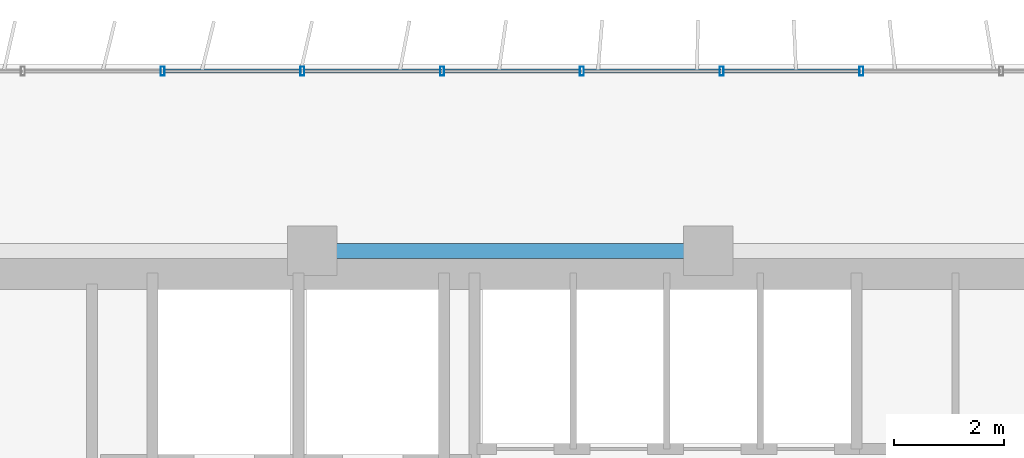
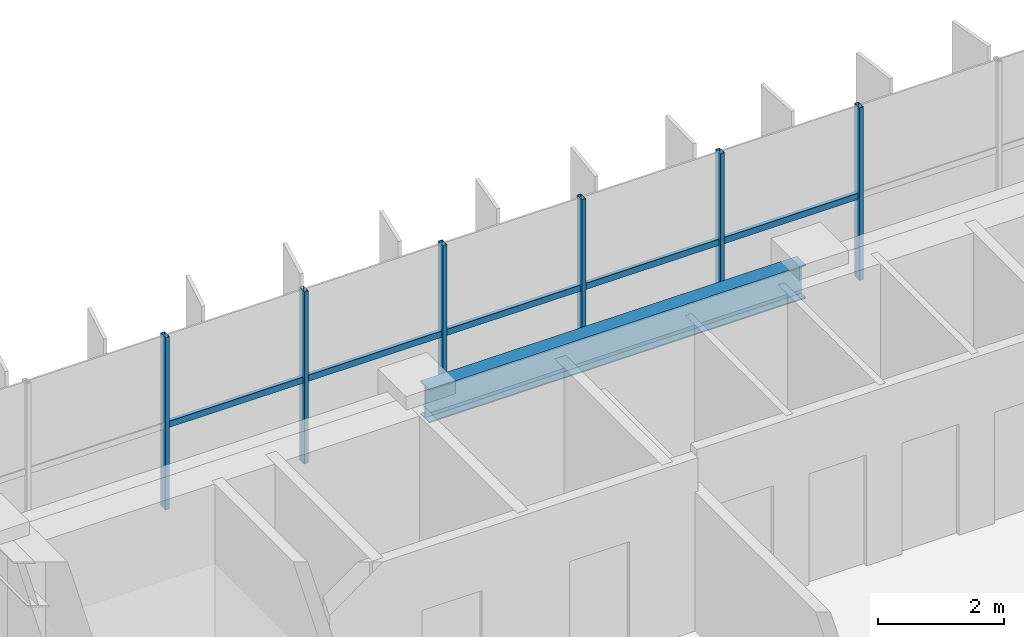
# One storey, part 7 of 21: 11 members, 1 beam, 1 element without a shape of its own.
"""IFC4 building model written with IfcOpenShell, lengths in metres."""

from ifc_helpers import new_model, si_unit, direction, frame, origin, origin_2d, place, context, subcontext, project, spatial, hollow_rectangle, i_section, extrude, source, transform, mapped, material, material_profile, profile_set, type_object, element, aggregate, save


model = new_model("IFC4")

# Units and contexts
model_context = context("Model", 3, precision=1e-05, world=origin(), true_north=direction((0.0, 1.0)))
body_context = subcontext(model_context, "Body", "Model", "MODEL_VIEW")
ifc_project = project(units=[si_unit("LENGTHUNIT", "METRE"), si_unit("AREAUNIT", "SQUARE_METRE"), si_unit("VOLUMEUNIT", "CUBIC_METRE"), si_unit("PLANEANGLEUNIT", "RADIAN"), si_unit("MASSUNIT", "GRAM", prefix="KILO")], contexts=[model_context])

# Site, building, storey
site_placement = place(None, origin())
site = spatial("IfcSite", under=ifc_project, at=site_placement, CompositionType="ELEMENT")
building_placement = place(site_placement, origin())
building = spatial("IfcBuilding", under=site, at=building_placement, Name="Trelvane Seafront Commons", CompositionType="ELEMENT")
storey_placement = place(building_placement, frame((0.0, 0.0, 37.89990234375)))
storey = spatial("IfcBuildingStorey", under=building, at=storey_placement, Name="L09", CompositionType="ELEMENT", Elevation=37.89990234375)

# Beam
ifc_material_1 = material(Name="Steel SM355 (S355)", Category="steel")
ifc_material_profile_1 = material_profile(ifc_material_1, i_section(OverallWidth=0.280029296875, OverallDepth=0.64990234375, WebThickness=0.012939453125, FlangeThickness=0.02197265625, at=origin_2d()), Name="H-650x280x13x22")
ifc_profile_set_1 = profile_set([ifc_material_profile_1], Name="Steel SM355 (S355)")
beam_type = type_object("IfcBeamType", Name="STR-BM-H650", PredefinedType="BEAM", material=ifc_profile_set_1)
shared_shape_1 = source(origin(), body_context, "Body", "SweptSolid", [
    extrude(i_section(OverallWidth=0.280029296875, OverallDepth=0.64990234375, WebThickness=0.012939453125, FlangeThickness=0.02197265625, at=origin_2d()), origin(), (0.0, 0.0, 1.0), 6.89990234375),
])
beam_placement = place(storey_placement, frame((23.550048828125, 45.10009765625, 3.01513671875), z_axis=(1.0, 0.0, 0.0), x_axis=(0.0, 1.0, 0.0)))
element("IfcBeam", 1, at=beam_placement, inside=storey, type_object=beam_type, Name="L09 Primary Girder G-31", PredefinedType="BEAM", context=body_context, shape_type="MappedRepresentation", body=[
    mapped(shared_shape_1, transform((0.0, 0.0, 0.0), x_axis=(1.0, 0.0, 0.0), y_axis=(0.0, 1.0, 0.0), z_axis=(0.0, 0.0, 1.0), scale=1.0)),
])

# Curtain wall, members
ifc_material_2 = material(Name="Anodised pale-silver aluminium", Category="aluminium")
curtain_wall_type = type_object("IfcCurtainWallType", Name="ARCH-CW2-LOWTOWER", PredefinedType="NOTDEFINED", material=ifc_material_2)
curtain_wall_placement = place(storey_placement, origin())
curtain_wall = element("IfcCurtainWall", 2, at=curtain_wall_placement, inside=storey, type_object=curtain_wall_type, Name="CW-L09-0033", PredefinedType="NOTDEFINED")
ifc_material_profile_2 = material_profile(ifc_material_2, hollow_rectangle(XDim=0.074951171875, YDim=0.159912109375, WallThickness=0.00390625, at=origin_2d()), Name="MULL-75x160x4")
ifc_profile_set_2 = profile_set([ifc_material_profile_2], Name="Anodised pale-silver aluminium")
member_type_1 = type_object("IfcMemberType", Name="ARCH-CW-MULL-160", PredefinedType="MULLION", material=ifc_profile_set_2)
shared_shape_2 = source(origin(), body_context, "Body", "SweptSolid", [
    extrude(hollow_rectangle(XDim=0.074951171875, YDim=0.159912109375, WallThickness=0.00390625, at=origin_2d()), origin(), (0.0, 0.0, 1.0), 3.340087890625),
])
member_1_placement = place(storey_placement, frame((20.682373046875, 48.3701171875, 0.0), z_axis=(0.0, 0.0, 1.0), x_axis=(1.0, 0.0, 0.0)))
member_1 = element("IfcMember", 3, at=member_1_placement, type_object=member_type_1, Name="CW-L09-0033-M02", PredefinedType="MULLION", context=body_context, shape_type="MappedRepresentation", body=[
    mapped(shared_shape_2, transform((0.0, 0.0, 0.0), x_axis=(1.0, 0.0, 0.0), y_axis=(0.0, 1.0, 0.0), z_axis=(0.0, 0.0, 1.0), scale=1.0)),
])
member_2_placement = place(storey_placement, frame((23.223388671875, 48.3701171875, 0.0), z_axis=(0.0, 0.0, 1.0), x_axis=(1.0, 0.0, 0.0)))
member_2 = element("IfcMember", 4, at=member_2_placement, type_object=member_type_1, Name="CW-L09-0033-M03", PredefinedType="MULLION", context=body_context, shape_type="MappedRepresentation", body=[
    mapped(shared_shape_2, transform((0.0, 0.0, 0.0), x_axis=(1.0, 0.0, 0.0), y_axis=(0.0, 1.0, 0.0), z_axis=(0.0, 0.0, 1.0), scale=1.0)),
])
member_3_placement = place(storey_placement, frame((25.7646484375, 48.3701171875, 0.0), z_axis=(0.0, 0.0, 1.0), x_axis=(1.0, 0.0, 0.0)))
member_3 = element("IfcMember", 5, at=member_3_placement, type_object=member_type_1, Name="CW-L09-0033-M04", PredefinedType="MULLION", context=body_context, shape_type="MappedRepresentation", body=[
    mapped(shared_shape_2, transform((0.0, 0.0, 0.0), x_axis=(1.0, 0.0, 0.0), y_axis=(0.0, 1.0, 0.0), z_axis=(0.0, 0.0, 1.0), scale=1.0)),
])
member_4_placement = place(storey_placement, frame((28.305908203125, 48.3701171875, 0.0), z_axis=(0.0, 0.0, 1.0), x_axis=(1.0, 0.0, 0.0)))
member_4 = element("IfcMember", 6, at=member_4_placement, type_object=member_type_1, Name="CW-L09-0033-M05", PredefinedType="MULLION", context=body_context, shape_type="MappedRepresentation", body=[
    mapped(shared_shape_2, transform((0.0, 0.0, 0.0), x_axis=(1.0, 0.0, 0.0), y_axis=(0.0, 1.0, 0.0), z_axis=(0.0, 0.0, 1.0), scale=1.0)),
])
member_5_placement = place(storey_placement, frame((30.84716796875, 48.3701171875, 0.0), z_axis=(0.0, 0.0, 1.0), x_axis=(1.0, 0.0, 0.0)))
member_5 = element("IfcMember", 7, at=member_5_placement, type_object=member_type_1, Name="CW-L09-0033-M06", PredefinedType="MULLION", context=body_context, shape_type="MappedRepresentation", body=[
    mapped(shared_shape_2, transform((0.0, 0.0, 0.0), x_axis=(1.0, 0.0, 0.0), y_axis=(0.0, 1.0, 0.0), z_axis=(0.0, 0.0, 1.0), scale=1.0)),
])
member_6_placement = place(storey_placement, frame((33.38818359375, 48.3701171875, 0.0), z_axis=(0.0, 0.0, 1.0), x_axis=(1.0, 0.0, 0.0)))
member_6 = element("IfcMember", 8, at=member_6_placement, type_object=member_type_1, Name="CW-L09-0033-M07", PredefinedType="MULLION", context=body_context, shape_type="MappedRepresentation", body=[
    mapped(shared_shape_2, transform((0.0, 0.0, 0.0), x_axis=(1.0, 0.0, 0.0), y_axis=(0.0, 1.0, 0.0), z_axis=(0.0, 0.0, 1.0), scale=1.0)),
])
ifc_material_profile_3 = material_profile(ifc_material_2, hollow_rectangle(XDim=0.070068359375, YDim=0.1201171875, WallThickness=0.00390625, at=origin_2d()), Name="TRAN-70x120x4")
ifc_profile_set_3 = profile_set([ifc_material_profile_3], Name="Anodised pale-silver aluminium")
member_type_2 = type_object("IfcMemberType", Name="ARCH-CW-TRAN-120", PredefinedType="USERDEFINED", material=ifc_profile_set_3)
shared_shape_3 = source(origin(), body_context, "Body", "SweptSolid", [
    extrude(hollow_rectangle(XDim=0.070068359375, YDim=0.1201171875, WallThickness=0.00390625, at=origin_2d()), origin(), (0.0, 0.0, 1.0), 2.51708984375),
])
member_7_placement = place(storey_placement, frame((20.6943359375, 48.3701171875, 1.60302734375), z_axis=(1.0, 0.0, 0.0), x_axis=(0.0, 1.0, 0.0)))
member_7 = element("IfcMember", 9, at=member_7_placement, type_object=member_type_2, Name="CW-L09-0033-T02", ObjectType="TRANSOM", PredefinedType="USERDEFINED", context=body_context, shape_type="MappedRepresentation", body=[
    mapped(shared_shape_3, transform((0.0, 0.0, 0.0), x_axis=(1.0, 0.0, 0.0), y_axis=(0.0, 1.0, 0.0), z_axis=(0.0, 0.0, 1.0), scale=1.0)),
])
member_8_placement = place(storey_placement, frame((23.235595703125, 48.3701171875, 1.60302734375), z_axis=(1.0, 0.0, 0.0), x_axis=(0.0, 1.0, 0.0)))
member_8 = element("IfcMember", 10, at=member_8_placement, type_object=member_type_2, Name="CW-L09-0033-T03", ObjectType="TRANSOM", PredefinedType="USERDEFINED", context=body_context, shape_type="MappedRepresentation", body=[
    mapped(shared_shape_3, transform((0.0, 0.0, 0.0), x_axis=(1.0, 0.0, 0.0), y_axis=(0.0, 1.0, 0.0), z_axis=(0.0, 0.0, 1.0), scale=1.0)),
])
member_9_placement = place(storey_placement, frame((30.859130859375, 48.3701171875, 1.60302734375), z_axis=(1.0, 0.0, 0.0), x_axis=(0.0, 1.0, 0.0)))
member_9 = element("IfcMember", 11, at=member_9_placement, type_object=member_type_2, Name="CW-L09-0033-T06", ObjectType="TRANSOM", PredefinedType="USERDEFINED", context=body_context, shape_type="MappedRepresentation", body=[
    mapped(shared_shape_3, transform((0.0, 0.0, 0.0), x_axis=(1.0, 0.0, 0.0), y_axis=(0.0, 1.0, 0.0), z_axis=(0.0, 0.0, 1.0), scale=1.0)),
])
shared_shape_4 = source(origin(), body_context, "Body", "SweptSolid", [
    extrude(hollow_rectangle(XDim=0.070068359375, YDim=0.1201171875, WallThickness=0.00390625, at=origin_2d()), origin(), (0.0, 0.0, 1.0), 2.517333984375),
])
member_10_placement = place(storey_placement, frame((25.776611328125, 48.3701171875, 1.60302734375), z_axis=(1.0, 0.0, 0.0), x_axis=(0.0, 1.0, 0.0)))
member_10 = element("IfcMember", 12, at=member_10_placement, type_object=member_type_2, Name="CW-L09-0033-T04", ObjectType="TRANSOM", PredefinedType="USERDEFINED", context=body_context, shape_type="MappedRepresentation", body=[
    mapped(shared_shape_4, transform((0.0, 0.0, 0.0), x_axis=(1.0, 0.0, 0.0), y_axis=(0.0, 1.0, 0.0), z_axis=(0.0, 0.0, 1.0), scale=1.0)),
])
member_11_placement = place(storey_placement, frame((28.31787109375, 48.3701171875, 1.60302734375), z_axis=(1.0, 0.0, 0.0), x_axis=(0.0, 1.0, 0.0)))
member_11 = element("IfcMember", 13, at=member_11_placement, type_object=member_type_2, Name="CW-L09-0033-T05", ObjectType="TRANSOM", PredefinedType="USERDEFINED", context=body_context, shape_type="MappedRepresentation", body=[
    mapped(shared_shape_4, transform((0.0, 0.0, 0.0), x_axis=(1.0, 0.0, 0.0), y_axis=(0.0, 1.0, 0.0), z_axis=(0.0, 0.0, 1.0), scale=1.0)),
])
aggregate(curtain_wall, [member_1, member_2, member_3, member_4, member_5, member_6, member_7, member_8, member_10, member_11, member_9])

save(model, "model.ifc")
